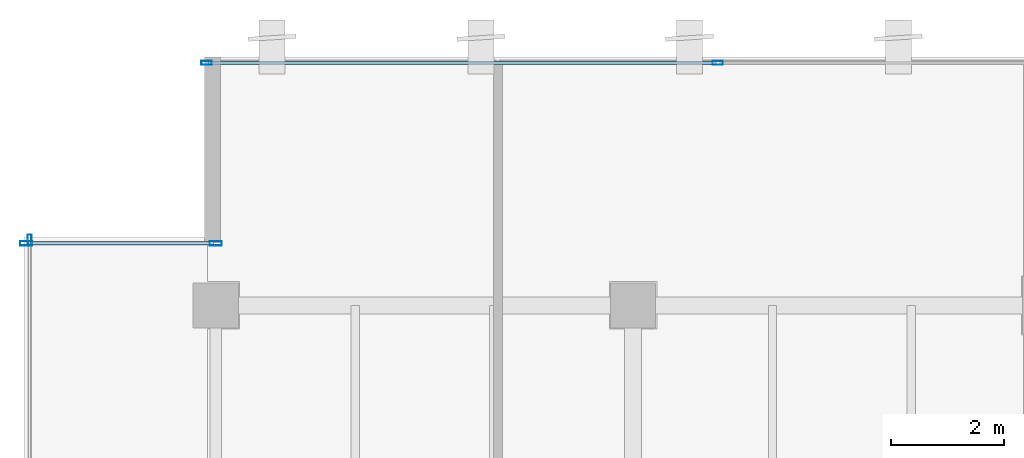
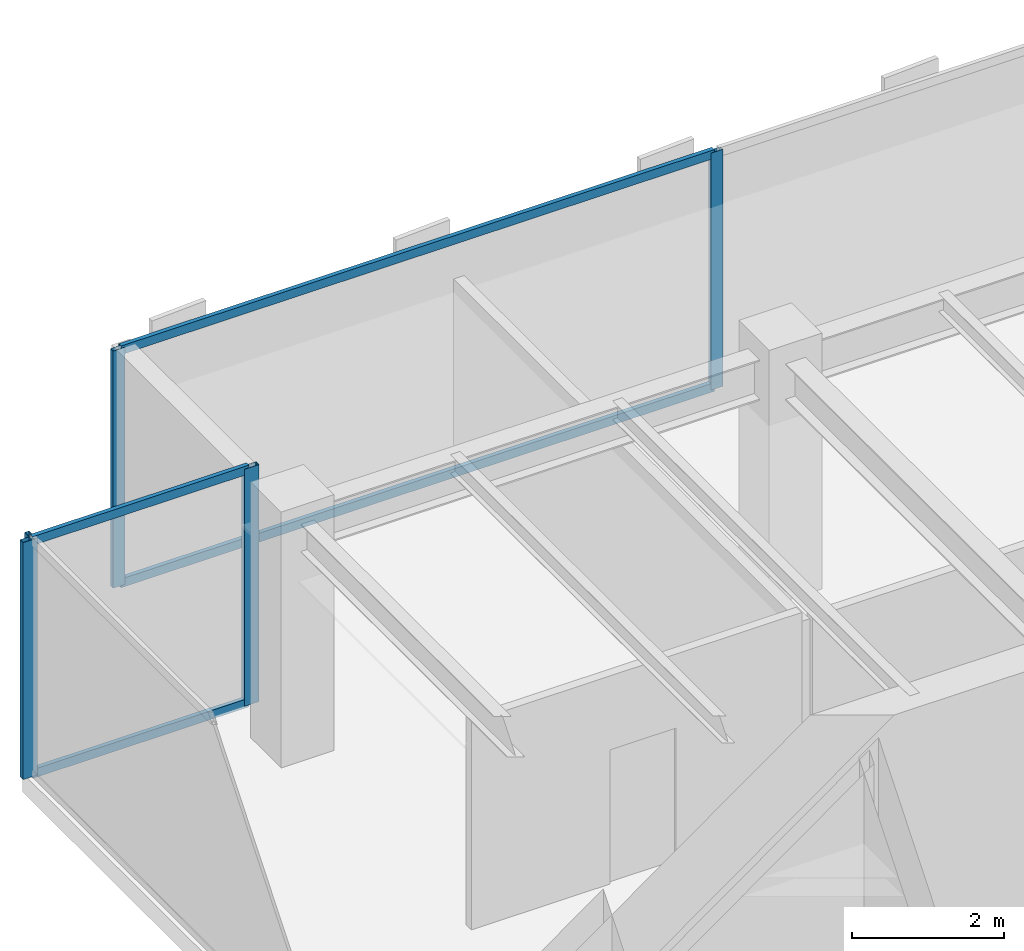
# One storey, part 15 of 35: 9 members, 3 elements without a shape of their own.
"""IFC4 building model written with IfcOpenShell, lengths in metres."""

import ifcopenshell
import ifcopenshell.guid

model = None  # the IFC model being written
_history = None  # IfcOwnerHistory: only IFC2X3 demands one
_inside = {}  # id of a spatial element -> (the spatial element, [elements in it])
_under = {}  # id of a project, library or spatial element -> (it, [spatial elements below it])
_declared = {}  # id of a project -> (the project, [libraries it declares])
_typed = {}  # id of a type object -> (the type object, [elements of that type])
_made_of = {}  # id of a material, layer set ... -> (it, [elements and type objects made of it])


def new_model(schema):
    """Start an empty IFC model of exactly this schema.

    Asked for "IFC4X3", IfcOpenShell would pick the latest addendum, in which some entities
    have other attributes; the version numbers below select the first issue.
    IFC2X3 requires an IfcOwnerHistory on every rooted entity: one is made here for all.
    """
    global model, _history
    if schema == "IFC4X3":
        model = ifcopenshell.file(schema_version=(4, 3, 0, 0))
    else:
        model = ifcopenshell.file(schema=schema)
    _inside.clear()
    _under.clear()
    _declared.clear()
    _typed.clear()
    _made_of.clear()
    _history = None
    if model.schema == "IFC2X3":
        org = make("IfcOrganization", Name="unknown")
        user = make(
            "IfcPersonAndOrganization",
            ThePerson=make("IfcPerson", FamilyName="unknown"),
            TheOrganization=org,
        )
        app = make(
            "IfcApplication",
            ApplicationDeveloper=org,
            Version="unknown",
            ApplicationFullName="unknown",
            ApplicationIdentifier="unknown",
        )
        _history = make(
            "IfcOwnerHistory",
            OwningUser=user,
            OwningApplication=app,
            ChangeAction="ADDED",
            CreationDate=0,
        )
    return model


def make(cls, **values):
    """One entity of the class cls with the attributes given. An attribute that is None is left unset."""
    return model.create_entity(
        cls, **{name: value for name, value in values.items() if value is not None}
    )


def rooted(cls, **values):
    """An entity with a GlobalId (a new one), such as an element, a storey or a relation."""
    return make(cls, GlobalId=ifcopenshell.guid.new(), OwnerHistory=_history, **values)


def si_unit(unit_type, name, prefix=None):
    """IfcSIUnit, for example si_unit("LENGTHUNIT", "METRE", prefix="MILLI")."""
    return make("IfcSIUnit", UnitType=unit_type, Prefix=prefix, Name=name)


def assignment(units):
    """IfcUnitAssignment: the units of a project."""
    return None if units is None else make("IfcUnitAssignment", Units=units)


def point(xyz):
    """IfcCartesianPoint."""
    return None if xyz is None else make("IfcCartesianPoint", Coordinates=xyz)


def direction(xyz):
    """IfcDirection."""
    return None if xyz is None else make("IfcDirection", DirectionRatios=xyz)


def frame(location, z_axis=None, x_axis=None):
    """IfcAxis2Placement3D, a coordinate frame: its origin and axes. An axis left out is left unset."""
    return make(
        "IfcAxis2Placement3D",
        Location=point(location),
        Axis=direction(z_axis),
        RefDirection=direction(x_axis),
    )


def frame_2d(location, x_axis=None):
    """IfcAxis2Placement2D, a coordinate frame in the plane: its origin and x axis."""
    return make(
        "IfcAxis2Placement2D", Location=point(location), RefDirection=direction(x_axis)
    )


def origin():
    """The frame at (0, 0, 0) with its axes left unset."""
    return frame((0.0, 0.0, 0.0))


def origin_2d():
    """The frame at (0, 0) in the plane with its x axis left unset."""
    return frame_2d((0.0, 0.0))


def place(relative_to, where):
    """IfcLocalPlacement: puts the frame where relative to a parent placement (None: the world)."""
    return make(
        "IfcLocalPlacement", PlacementRelTo=relative_to, RelativePlacement=where
    )


def context(
    kind, dimensions, precision=None, world=None, true_north=None, identifier=None
):
    """IfcGeometricRepresentationContext, for example the 3D "Model" context."""
    return make(
        "IfcGeometricRepresentationContext",
        ContextIdentifier=identifier,
        ContextType=kind,
        CoordinateSpaceDimension=dimensions,
        Precision=precision,
        WorldCoordinateSystem=world,
        TrueNorth=true_north,
    )


def subcontext(parent, identifier, kind, view, scale=None):
    """IfcGeometricRepresentationSubContext, for example "Body" below "Model"."""
    return make(
        "IfcGeometricRepresentationSubContext",
        ContextIdentifier=identifier,
        ContextType=kind,
        ParentContext=parent,
        TargetScale=scale,
        TargetView=view,
    )


def project(units=None, contexts=None):
    """IfcProject with its units and contexts."""
    return rooted(
        "IfcProject",
        Name="project",
        RepresentationContexts=contexts,
        UnitsInContext=assignment(units),
    )


def spatial(cls, under=None, at=None, **own):
    """A site, building, storey or space (cls), placed at a placement, below another one or the project."""
    s = rooted(cls, ObjectPlacement=at, **own)
    if under is not None:
        _under.setdefault(under.id(), (under, []))[1].append(s)
    return s


def profile(cls, at=None, kind="AREA", **sizes):
    """A parametric profile (cls). Its sizes go by their IFC names, for example OverallWidth=200.0."""
    return make(cls, ProfileType=kind, Position=at, **sizes)


def hollow_rectangle(**sizes):
    """IfcRectangleHollowProfileDef."""
    return profile("IfcRectangleHollowProfileDef", **sizes)


def extrude(swept, where, along, depth):
    """IfcExtrudedAreaSolid: the profile swept, set in the frame where, extruded along a direction by depth."""
    return make(
        "IfcExtrudedAreaSolid",
        SweptArea=swept,
        Position=where,
        ExtrudedDirection=direction(along),
        Depth=depth,
    )


def shape(context_of_items, identifier, shape_type, items):
    """IfcShapeRepresentation: the items that make up one representation, for example the "Body"."""
    return make(
        "IfcShapeRepresentation",
        ContextOfItems=context_of_items,
        RepresentationIdentifier=identifier,
        RepresentationType=shape_type,
        Items=items,
    )


def source(mapping_origin, context_of_items, identifier, shape_type, items):
    """IfcRepresentationMap: a shape defined once, which mapped items show again and again."""
    return make(
        "IfcRepresentationMap",
        MappingOrigin=mapping_origin,
        MappedRepresentation=shape(context_of_items, identifier, shape_type, items),
    )


def transform(
    local_origin,
    x_axis=None,
    y_axis=None,
    z_axis=None,
    scale=None,
    scale2=None,
    scale3=None,
    uniform=True,
):
    """IfcCartesianTransformationOperator3D, or its non-uniform kind. x_axis, y_axis, z_axis: its Axis1, 2, 3."""
    if uniform:
        return make(
            "IfcCartesianTransformationOperator3D",
            Axis1=direction(x_axis),
            Axis2=direction(y_axis),
            LocalOrigin=point(local_origin),
            Scale=scale,
            Axis3=direction(z_axis),
        )
    return make(
        "IfcCartesianTransformationOperator3DnonUniform",
        Axis1=direction(x_axis),
        Axis2=direction(y_axis),
        LocalOrigin=point(local_origin),
        Scale=scale,
        Axis3=direction(z_axis),
        Scale2=scale2,
        Scale3=scale3,
    )


def mapped(mapping_source, mapping_target):
    """IfcMappedItem: shows the shape of a source again, moved by a transform."""
    return make(
        "IfcMappedItem", MappingSource=mapping_source, MappingTarget=mapping_target
    )


def material(Name=None, Category=None):
    """IfcMaterial."""
    return make("IfcMaterial", Name=Name, Category=Category)


def layer(
    of_material, thickness, ventilated=None, Name=None, Category=None, Priority=None
):
    """IfcMaterialLayer: one layer of a wall or slab, of a material (None: an air gap)."""
    return make(
        "IfcMaterialLayer",
        Material=of_material,
        LayerThickness=thickness,
        IsVentilated=ventilated,
        Name=Name,
        Category=Category,
        Priority=Priority,
    )


def layer_set(layers, Name=None):
    """IfcMaterialLayerSet."""
    return make("IfcMaterialLayerSet", MaterialLayers=layers, LayerSetName=Name)


def material_profile(
    of_material, cross_section, Name=None, Category=None, Priority=None
):
    """IfcMaterialProfile: a cross section and its material."""
    return make(
        "IfcMaterialProfile",
        Name=Name,
        Material=of_material,
        Profile=cross_section,
        Priority=Priority,
        Category=Category,
    )


def profile_set(profiles, Name=None, composite=None):
    """IfcMaterialProfileSet."""
    return make(
        "IfcMaterialProfileSet",
        Name=Name,
        MaterialProfiles=profiles,
        CompositeProfile=composite,
    )


def made_of(thing, what):
    """Note that an element or type object is made of a material, layer set ...; save() writes the relation."""
    if what is not None:
        _made_of.setdefault(what.id(), (what, []))[1].append(thing)
    return thing


def type_object(cls, material=None, **own):
    """A type object (cls), such as IfcWallType, which elements share."""
    return made_of(rooted(cls, **own), material)


def type_shapes(of_type, sources):
    """Give a type object the sources (RepresentationMaps) that its elements show as mapped items."""
    of_type.RepresentationMaps = sources


def element(
    cls,
    number,
    at=None,
    inside=None,
    cuts=None,
    type_object=None,
    material=None,
    context=None,
    identifier="Body",
    shape_type=None,
    held_by="IfcProductDefinitionShape",
    body=None,
    shapes=None,
    **own,
):
    """One element of the class cls, such as IfcWall. Its Tag is "e" and its number.

    at: its placement. inside: the storey or other place that contains it. cuts: it is an
    opening in that element (IfcRelVoidsElement). A single representation is given by context,
    identifier, shape_type and body (its items); several are given by shapes. held_by: the class
    of the entity that holds the representations. save() writes the other relations.
    """
    e = rooted(cls, Tag="e%d" % number, ObjectPlacement=at, **own)
    if body is not None:
        shapes = [shape(context, identifier, shape_type, body)]
    if shapes is not None:
        e.Representation = make(held_by, Representations=shapes)
    if inside is not None:
        _inside.setdefault(inside.id(), (inside, []))[1].append(e)
    if cuts is not None:
        rooted(
            "IfcRelVoidsElement", RelatingBuildingElement=cuts, RelatedOpeningElement=e
        )
    if type_object is not None:
        _typed.setdefault(type_object.id(), (type_object, []))[1].append(e)
    return made_of(e, material)


def aggregate(whole, parts):
    """IfcRelAggregates: a whole, such as a stair, and the parts it consists of."""
    return rooted("IfcRelAggregates", RelatingObject=whole, RelatedObjects=parts)


def save(model, path):
    """Write the relations noted so far, then the file.

    IfcRelAggregates (storeys below a building ...), IfcRelContainedInSpatialStructure (elements
    in a storey), IfcRelDefinesByType, IfcRelAssociatesMaterial and IfcRelDeclares: one each for
    every whole, place, type object, material and project.
    """
    for whole, parts in _under.values():
        aggregate(whole, parts)
    for where, things in _inside.values():
        rooted(
            "IfcRelContainedInSpatialStructure",
            RelatedElements=things,
            RelatingStructure=where,
        )
    for kind, things in _typed.values():
        rooted("IfcRelDefinesByType", RelatedObjects=things, RelatingType=kind)
    for what, things in _made_of.values():
        rooted("IfcRelAssociatesMaterial", RelatedObjects=things, RelatingMaterial=what)
    for by, libraries in _declared.values():
        rooted("IfcRelDeclares", RelatingContext=by, RelatedDefinitions=libraries)
    model.write(path)


model = new_model("IFC4")

# Units and contexts
model_context = context("Model", 3, precision=1e-05, world=origin(), true_north=direction((0.0, 1.0)))
body_context = subcontext(model_context, "Body", "Model", "MODEL_VIEW")
ifc_project = project(units=[si_unit("LENGTHUNIT", "METRE"), si_unit("AREAUNIT", "SQUARE_METRE"), si_unit("VOLUMEUNIT", "CUBIC_METRE"), si_unit("PLANEANGLEUNIT", "RADIAN"), si_unit("MASSUNIT", "GRAM", prefix="KILO")], contexts=[model_context])

# Site, building, storey
site_placement = place(None, origin())
site = spatial("IfcSite", under=ifc_project, at=site_placement, CompositionType="ELEMENT")
building_placement = place(site_placement, origin())
building = spatial("IfcBuilding", under=site, at=building_placement, Name="Haelvirn Gate Laboratories", CompositionType="ELEMENT")
storey_placement = place(building_placement, frame((0.0, 0.0, 201.39990234375)))
storey = spatial("IfcBuildingStorey", under=building, at=storey_placement, Name="L48", CompositionType="ELEMENT", Elevation=201.39990234375)

# Curtain wall, members
ifc_material_1 = material(Name="Anodised bronze unitised aluminium & triple low-E glass", Category="aluminium")
ifc_layer_1 = layer(ifc_material_1, 0.181884765625, Name="CW-SYS-5")
ifc_layer_set_1 = layer_set([ifc_layer_1], Name="Anodised bronze unitised aluminium & triple low-E glass")
curtain_wall_type_1 = type_object("IfcCurtainWallType", Name="CW-SYS-5", PredefinedType="NOTDEFINED", material=ifc_layer_set_1)
curtain_wall_1_placement = place(storey_placement, origin())
curtain_wall_1 = element("IfcCurtainWall", 1, at=curtain_wall_1_placement, inside=storey, type_object=curtain_wall_type_1, Name="L48 Unitised Curtain Wall CW-L48-P0-E16-1", PredefinedType="NOTDEFINED")
ifc_material_2 = material(Name="Extruded aluminium 6063-T6 (anodised bronze)", Category="aluminium")
ifc_material_profile_1 = material_profile(ifc_material_2, hollow_rectangle(XDim=0.06494140625, YDim=0.139892578125, WallThickness=0.00390625, at=origin_2d()), Name="CWT-140x65x4")
ifc_profile_set_1 = profile_set([ifc_material_profile_1], Name="Extruded aluminium 6063-T6 (anodised bronze)")
member_type_1 = type_object("IfcMemberType", Name="CWT-T140", PredefinedType="USERDEFINED", material=ifc_profile_set_1)
shared_shape_1 = source(origin(), body_context, "Body", "SweptSolid", [
    extrude(hollow_rectangle(XDim=0.06494140625, YDim=0.139892578125, WallThickness=0.00390625, at=origin_2d()), origin(), (0.0, 0.0, 1.0), 3.280029296875),
])
member_1_placement = place(storey_placement, frame((4.080078125, 42.699951171875, 0.03271484375), z_axis=(1.0, 0.0, 0.0), x_axis=(0.0, 1.0, 0.0)))
member_1 = element("IfcMember", 2, at=member_1_placement, type_object=member_type_1, Name="CW5 transom 1.1", ObjectType="TRANSOM", PredefinedType="USERDEFINED", context=body_context, shape_type="MappedRepresentation", body=[
    mapped(shared_shape_1, transform((0.0, 0.0, 0.0), scale=1.0)),
])
member_2_placement = place(storey_placement, frame((4.080078125, 42.699951171875, 3.767578125), z_axis=(1.0, 0.0, 0.0), x_axis=(0.0, 1.0, 0.0)))
member_2 = element("IfcMember", 3, at=member_2_placement, type_object=member_type_1, Name="CW5 transom 1.2", ObjectType="TRANSOM", PredefinedType="USERDEFINED", context=body_context, shape_type="MappedRepresentation", body=[
    mapped(shared_shape_1, transform((0.0, 0.0, 0.0), scale=1.0)),
])

ifc_layer_2 = layer(ifc_material_1, 0.176025390625, Name="CW-SYS-4")
ifc_layer_set_2 = layer_set([ifc_layer_2], Name="Anodised bronze unitised aluminium & triple low-E glass")
curtain_wall_type_2 = type_object("IfcCurtainWallType", Name="CW-SYS-4", PredefinedType="NOTDEFINED", material=ifc_layer_set_2)
curtain_wall_2_placement = place(storey_placement, origin())
curtain_wall_2 = element("IfcCurtainWall", 4, at=curtain_wall_2_placement, inside=storey, type_object=curtain_wall_type_2, Name="L48 Unitised Curtain Wall CW-L48-P0-E14-1", PredefinedType="NOTDEFINED")
ifc_material_profile_2 = material_profile(ifc_material_2, hollow_rectangle(XDim=0.070068359375, YDim=0.179931640625, WallThickness=0.0048828125, at=origin_2d()), Name="CWM-180x70x5")
ifc_profile_set_2 = profile_set([ifc_material_profile_2], Name="Extruded aluminium 6063-T6 (anodised bronze)")
member_type_2 = type_object("IfcMemberType", Name="CWM-T180", PredefinedType="MULLION", material=ifc_profile_set_2)
shared_shape_2 = source(origin(), body_context, "Body", "SweptSolid", [
    extrude(hollow_rectangle(XDim=0.070068359375, YDim=0.179931640625, WallThickness=0.0048828125, at=origin_2d()), origin(), (0.0, 0.0, 1.0), 3.800048828125),
])
type_shapes(member_type_2, [shared_shape_2])
member_3_placement = place(storey_placement, frame((7.235107421875, 45.89990234375, 0.0), z_axis=(0.0, 0.0, 1.0), x_axis=(0.0, 1.0, 0.0)))
member_3 = element("IfcMember", 5, at=member_3_placement, type_object=member_type_2, Name="CW4 mullion 1", PredefinedType="MULLION", context=body_context, shape_type="MappedRepresentation", body=[
    mapped(shared_shape_2, transform((0.0, 0.0, 0.0), scale=1.0)),
])
member_4_placement = place(storey_placement, frame((16.300048828125, 45.89990234375, 0.0), z_axis=(0.0, 0.0, 1.0), x_axis=(0.0, 1.0, 0.0)))
member_4 = element("IfcMember", 6, at=member_4_placement, type_object=member_type_2, Name="CW4 mullion 2", PredefinedType="MULLION", context=body_context, shape_type="MappedRepresentation", body=[
    mapped(shared_shape_2, transform((0.0, 0.0, 0.0), scale=1.0)),
])

# Curtain wall, member
curtain_wall_3_placement = place(storey_placement, origin())
curtain_wall_3 = element("IfcCurtainWall", 7, at=curtain_wall_3_placement, inside=storey, type_object=curtain_wall_type_2, Name="L48 Unitised Curtain Wall CW-L48-P0-E17", PredefinedType="NOTDEFINED")
member_5_placement = place(storey_placement, frame((4.10009765625, 42.764892578125, 0.0), z_axis=(0.0, 0.0, 1.0), x_axis=(1.0, 0.0, 0.0)))
member_5 = element("IfcMember", 8, at=member_5_placement, type_object=member_type_2, Name="CW4 mullion 1", PredefinedType="MULLION", context=body_context, shape_type="MappedRepresentation", body=[
    mapped(shared_shape_2, transform((0.0, 0.0, 0.0), scale=1.0)),
])
aggregate(curtain_wall_3, [member_5])

# Member
shared_shape_3 = source(origin(), body_context, "Body", "SweptSolid", [
    extrude(hollow_rectangle(XDim=0.06494140625, YDim=0.139892578125, WallThickness=0.00390625, at=origin_2d()), origin(), (0.0, 0.0, 1.0), 8.994873046875),
])
type_shapes(member_type_1, [shared_shape_1, shared_shape_3])
member_6_placement = place(storey_placement, frame((7.27001953125, 45.89990234375, 0.03271484375), z_axis=(1.0, 0.0, 0.0), x_axis=(0.0, 1.0, 0.0)))
member_6 = element("IfcMember", 9, at=member_6_placement, type_object=member_type_1, Name="CW4 transom 1.1", ObjectType="TRANSOM", PredefinedType="USERDEFINED", context=body_context, shape_type="MappedRepresentation", body=[
    mapped(shared_shape_3, transform((0.0, 0.0, 0.0), scale=1.0)),
])

member_7_placement = place(storey_placement, frame((7.27001953125, 45.89990234375, 3.767578125), z_axis=(1.0, 0.0, 0.0), x_axis=(0.0, 1.0, 0.0)))
member_7 = element("IfcMember", 10, at=member_7_placement, type_object=member_type_1, Name="CW4 transom 1.2", ObjectType="TRANSOM", PredefinedType="USERDEFINED", context=body_context, shape_type="MappedRepresentation", body=[
    mapped(shared_shape_3, transform((0.0, 0.0, 0.0), scale=1.0)),
])

aggregate(curtain_wall_2, [member_3, member_4, member_6, member_7])

ifc_material_profile_3 = material_profile(ifc_material_2, hollow_rectangle(XDim=0.080078125, YDim=0.219970703125, WallThickness=0.006103515625, at=origin_2d()), Name="CWM-220x80x6")
ifc_profile_set_3 = profile_set([ifc_material_profile_3], Name="Extruded aluminium 6063-T6 (anodised bronze)")
member_type_3 = type_object("IfcMemberType", Name="CWM-T220", PredefinedType="MULLION", material=ifc_profile_set_3)
shared_shape_4 = source(origin(), body_context, "Body", "SweptSolid", [
    extrude(hollow_rectangle(XDim=0.080078125, YDim=0.219970703125, WallThickness=0.006103515625, at=origin_2d()), origin(), (0.0, 0.0, 1.0), 3.800048828125),
])
type_shapes(member_type_3, [shared_shape_4])
member_8_placement = place(storey_placement, frame((4.0400390625, 42.699951171875, 0.0), z_axis=(0.0, 0.0, 1.0), x_axis=(0.0, 1.0, 0.0)))
member_8 = element("IfcMember", 11, at=member_8_placement, type_object=member_type_3, Name="CW5 mullion 1", PredefinedType="MULLION", context=body_context, shape_type="MappedRepresentation", body=[
    mapped(shared_shape_4, transform((0.0, 0.0, 0.0), scale=1.0)),
])

member_9_placement = place(storey_placement, frame((7.39990234375, 42.699951171875, 0.0), z_axis=(0.0, 0.0, 1.0), x_axis=(0.0, 1.0, 0.0)))
member_9 = element("IfcMember", 12, at=member_9_placement, type_object=member_type_3, Name="CW5 mullion 2", PredefinedType="MULLION", context=body_context, shape_type="MappedRepresentation", body=[
    mapped(shared_shape_4, transform((0.0, 0.0, 0.0), scale=1.0)),
])

aggregate(curtain_wall_1, [member_8, member_9, member_1, member_2])

save(model, "model.ifc")
